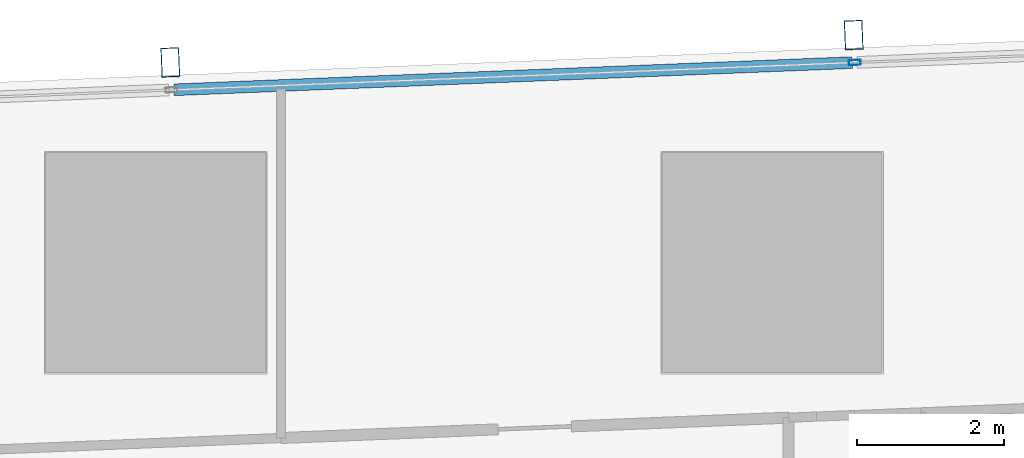
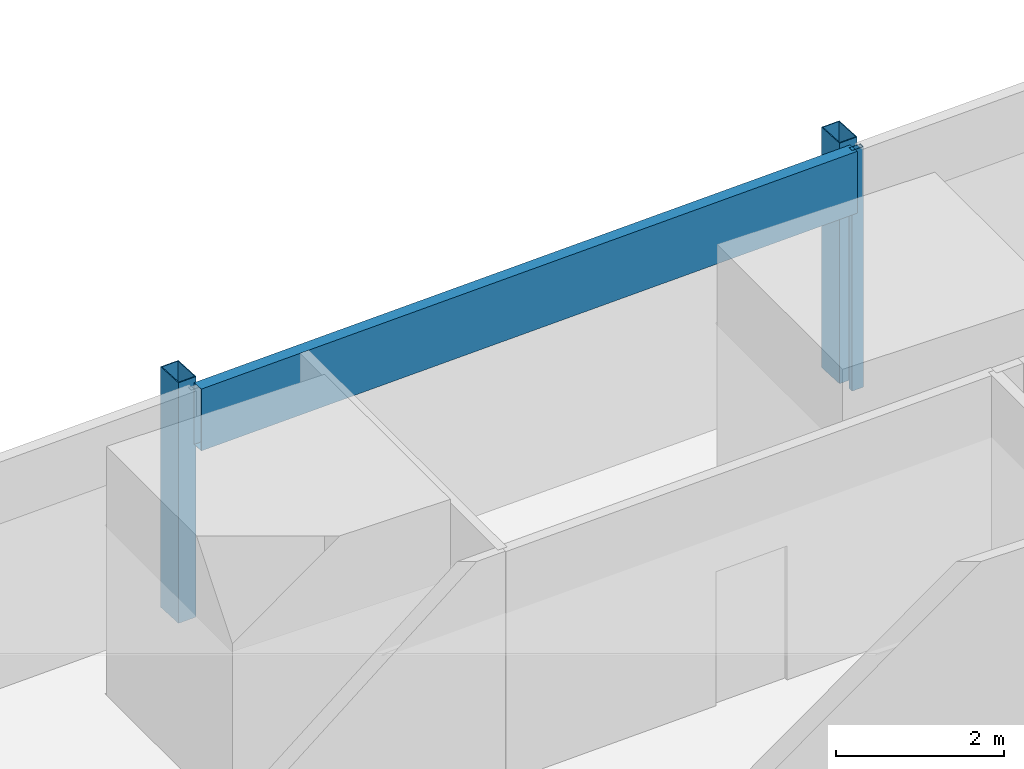
# One storey, part 17 of 39: 4 members, 1 element without a shape of its own.
"""IFC4 building model written with IfcOpenShell, lengths in metres."""

import ifcopenshell
import ifcopenshell.guid

model = None  # the IFC model being written
_history = None  # IfcOwnerHistory: only IFC2X3 demands one
_inside = {}  # id of a spatial element -> (the spatial element, [elements in it])
_under = {}  # id of a project, library or spatial element -> (it, [spatial elements below it])
_declared = {}  # id of a project -> (the project, [libraries it declares])
_typed = {}  # id of a type object -> (the type object, [elements of that type])
_made_of = {}  # id of a material, layer set ... -> (it, [elements and type objects made of it])


def new_model(schema):
    """Start an empty IFC model of exactly this schema.

    Asked for "IFC4X3", IfcOpenShell would pick the latest addendum, in which some entities
    have other attributes; the version numbers below select the first issue.
    IFC2X3 requires an IfcOwnerHistory on every rooted entity: one is made here for all.
    """
    global model, _history
    if schema == "IFC4X3":
        model = ifcopenshell.file(schema_version=(4, 3, 0, 0))
    else:
        model = ifcopenshell.file(schema=schema)
    _inside.clear()
    _under.clear()
    _declared.clear()
    _typed.clear()
    _made_of.clear()
    _history = None
    if model.schema == "IFC2X3":
        org = make("IfcOrganization", Name="unknown")
        user = make(
            "IfcPersonAndOrganization",
            ThePerson=make("IfcPerson", FamilyName="unknown"),
            TheOrganization=org,
        )
        app = make(
            "IfcApplication",
            ApplicationDeveloper=org,
            Version="unknown",
            ApplicationFullName="unknown",
            ApplicationIdentifier="unknown",
        )
        _history = make(
            "IfcOwnerHistory",
            OwningUser=user,
            OwningApplication=app,
            ChangeAction="ADDED",
            CreationDate=0,
        )
    return model


def make(cls, **values):
    """One entity of the class cls with the attributes given. An attribute that is None is left unset."""
    return model.create_entity(
        cls, **{name: value for name, value in values.items() if value is not None}
    )


def rooted(cls, **values):
    """An entity with a GlobalId (a new one), such as an element, a storey or a relation."""
    return make(cls, GlobalId=ifcopenshell.guid.new(), OwnerHistory=_history, **values)


def si_unit(unit_type, name, prefix=None):
    """IfcSIUnit, for example si_unit("LENGTHUNIT", "METRE", prefix="MILLI")."""
    return make("IfcSIUnit", UnitType=unit_type, Prefix=prefix, Name=name)


def assignment(units):
    """IfcUnitAssignment: the units of a project."""
    return None if units is None else make("IfcUnitAssignment", Units=units)


def point(xyz):
    """IfcCartesianPoint."""
    return None if xyz is None else make("IfcCartesianPoint", Coordinates=xyz)


def direction(xyz):
    """IfcDirection."""
    return None if xyz is None else make("IfcDirection", DirectionRatios=xyz)


def frame(location, z_axis=None, x_axis=None):
    """IfcAxis2Placement3D, a coordinate frame: its origin and axes. An axis left out is left unset."""
    return make(
        "IfcAxis2Placement3D",
        Location=point(location),
        Axis=direction(z_axis),
        RefDirection=direction(x_axis),
    )


def frame_2d(location, x_axis=None):
    """IfcAxis2Placement2D, a coordinate frame in the plane: its origin and x axis."""
    return make(
        "IfcAxis2Placement2D", Location=point(location), RefDirection=direction(x_axis)
    )


def origin():
    """The frame at (0, 0, 0) with its axes left unset."""
    return frame((0.0, 0.0, 0.0))


def origin_2d():
    """The frame at (0, 0) in the plane with its x axis left unset."""
    return frame_2d((0.0, 0.0))


def place(relative_to, where):
    """IfcLocalPlacement: puts the frame where relative to a parent placement (None: the world)."""
    return make(
        "IfcLocalPlacement", PlacementRelTo=relative_to, RelativePlacement=where
    )


def context(
    kind, dimensions, precision=None, world=None, true_north=None, identifier=None
):
    """IfcGeometricRepresentationContext, for example the 3D "Model" context."""
    return make(
        "IfcGeometricRepresentationContext",
        ContextIdentifier=identifier,
        ContextType=kind,
        CoordinateSpaceDimension=dimensions,
        Precision=precision,
        WorldCoordinateSystem=world,
        TrueNorth=true_north,
    )


def subcontext(parent, identifier, kind, view, scale=None):
    """IfcGeometricRepresentationSubContext, for example "Body" below "Model"."""
    return make(
        "IfcGeometricRepresentationSubContext",
        ContextIdentifier=identifier,
        ContextType=kind,
        ParentContext=parent,
        TargetScale=scale,
        TargetView=view,
    )


def project(units=None, contexts=None):
    """IfcProject with its units and contexts."""
    return rooted(
        "IfcProject",
        Name="project",
        RepresentationContexts=contexts,
        UnitsInContext=assignment(units),
    )


def spatial(cls, under=None, at=None, **own):
    """A site, building, storey or space (cls), placed at a placement, below another one or the project."""
    s = rooted(cls, ObjectPlacement=at, **own)
    if under is not None:
        _under.setdefault(under.id(), (under, []))[1].append(s)
    return s


def profile(cls, at=None, kind="AREA", **sizes):
    """A parametric profile (cls). Its sizes go by their IFC names, for example OverallWidth=200.0."""
    return make(cls, ProfileType=kind, Position=at, **sizes)


def hollow_rectangle(**sizes):
    """IfcRectangleHollowProfileDef."""
    return profile("IfcRectangleHollowProfileDef", **sizes)


def extrude(swept, where, along, depth):
    """IfcExtrudedAreaSolid: the profile swept, set in the frame where, extruded along a direction by depth."""
    return make(
        "IfcExtrudedAreaSolid",
        SweptArea=swept,
        Position=where,
        ExtrudedDirection=direction(along),
        Depth=depth,
    )


def shape(context_of_items, identifier, shape_type, items):
    """IfcShapeRepresentation: the items that make up one representation, for example the "Body"."""
    return make(
        "IfcShapeRepresentation",
        ContextOfItems=context_of_items,
        RepresentationIdentifier=identifier,
        RepresentationType=shape_type,
        Items=items,
    )


def material(Name=None, Category=None):
    """IfcMaterial."""
    return make("IfcMaterial", Name=Name, Category=Category)


def material_profile(
    of_material, cross_section, Name=None, Category=None, Priority=None
):
    """IfcMaterialProfile: a cross section and its material."""
    return make(
        "IfcMaterialProfile",
        Name=Name,
        Material=of_material,
        Profile=cross_section,
        Priority=Priority,
        Category=Category,
    )


def profile_set(profiles, Name=None, composite=None):
    """IfcMaterialProfileSet."""
    return make(
        "IfcMaterialProfileSet",
        Name=Name,
        MaterialProfiles=profiles,
        CompositeProfile=composite,
    )


def made_of(thing, what):
    """Note that an element or type object is made of a material, layer set ...; save() writes the relation."""
    if what is not None:
        _made_of.setdefault(what.id(), (what, []))[1].append(thing)
    return thing


def type_object(cls, material=None, **own):
    """A type object (cls), such as IfcWallType, which elements share."""
    return made_of(rooted(cls, **own), material)


def element(
    cls,
    number,
    at=None,
    inside=None,
    cuts=None,
    type_object=None,
    material=None,
    context=None,
    identifier="Body",
    shape_type=None,
    held_by="IfcProductDefinitionShape",
    body=None,
    shapes=None,
    **own,
):
    """One element of the class cls, such as IfcWall. Its Tag is "e" and its number.

    at: its placement. inside: the storey or other place that contains it. cuts: it is an
    opening in that element (IfcRelVoidsElement). A single representation is given by context,
    identifier, shape_type and body (its items); several are given by shapes. held_by: the class
    of the entity that holds the representations. save() writes the other relations.
    """
    e = rooted(cls, Tag="e%d" % number, ObjectPlacement=at, **own)
    if body is not None:
        shapes = [shape(context, identifier, shape_type, body)]
    if shapes is not None:
        e.Representation = make(held_by, Representations=shapes)
    if inside is not None:
        _inside.setdefault(inside.id(), (inside, []))[1].append(e)
    if cuts is not None:
        rooted(
            "IfcRelVoidsElement", RelatingBuildingElement=cuts, RelatedOpeningElement=e
        )
    if type_object is not None:
        _typed.setdefault(type_object.id(), (type_object, []))[1].append(e)
    return made_of(e, material)


def aggregate(whole, parts):
    """IfcRelAggregates: a whole, such as a stair, and the parts it consists of."""
    return rooted("IfcRelAggregates", RelatingObject=whole, RelatedObjects=parts)


def save(model, path):
    """Write the relations noted so far, then the file.

    IfcRelAggregates (storeys below a building ...), IfcRelContainedInSpatialStructure (elements
    in a storey), IfcRelDefinesByType, IfcRelAssociatesMaterial and IfcRelDeclares: one each for
    every whole, place, type object, material and project.
    """
    for whole, parts in _under.values():
        aggregate(whole, parts)
    for where, things in _inside.values():
        rooted(
            "IfcRelContainedInSpatialStructure",
            RelatedElements=things,
            RelatingStructure=where,
        )
    for kind, things in _typed.values():
        rooted("IfcRelDefinesByType", RelatedObjects=things, RelatingType=kind)
    for what, things in _made_of.values():
        rooted("IfcRelAssociatesMaterial", RelatedObjects=things, RelatingMaterial=what)
    for by, libraries in _declared.values():
        rooted("IfcRelDeclares", RelatingContext=by, RelatedDefinitions=libraries)
    model.write(path)


model = new_model("IFC4")

# Units and contexts
model_context = context("Model", 3, precision=1e-05, world=origin(), true_north=direction((0.0, 1.0)))
body_context = subcontext(model_context, "Body", "Model", "MODEL_VIEW")
ifc_project = project(units=[si_unit("LENGTHUNIT", "METRE"), si_unit("AREAUNIT", "SQUARE_METRE"), si_unit("VOLUMEUNIT", "CUBIC_METRE"), si_unit("PLANEANGLEUNIT", "RADIAN"), si_unit("MASSUNIT", "GRAM", prefix="KILO")], contexts=[model_context])

# Site, building, storey
site_placement = place(None, origin())
site = spatial("IfcSite", under=ifc_project, at=site_placement, CompositionType="ELEMENT")
building_placement = place(site_placement, origin())
building = spatial("IfcBuilding", under=site, at=building_placement, Name="Rekha Terrace Tower", CompositionType="ELEMENT")
storey_placement = place(building_placement, frame((0.0, 0.0, 155.300048828125)))
storey = spatial("IfcBuildingStorey", under=building, at=storey_placement, Name="L39", CompositionType="ELEMENT", Elevation=155.300048828125)

# Curtain wall, members
ifc_material_1 = material(Name="Aluminium framing", Category="aluminium")
curtain_wall_type = type_object("IfcCurtainWallType", Name="CW3 north unitised glazing", PredefinedType="USERDEFINED", material=ifc_material_1)
curtain_wall_placement = place(storey_placement, origin())
curtain_wall = element("IfcCurtainWall", 1, at=curtain_wall_placement, inside=storey, type_object=curtain_wall_type, Name="CW3 unitised curtain wall", ObjectType="UNITISED CURTAIN WALL", PredefinedType="USERDEFINED")
ifc_material_2 = material(Name="Steel S355 with fluorocarbon finish", Category="steel")
ifc_material_profile_1 = material_profile(ifc_material_2, hollow_rectangle(XDim=0.25, YDim=0.39990234375, WallThickness=0.012451171875, at=origin_2d()), Name="RHS400x250x12.5")
ifc_profile_set_1 = profile_set([ifc_material_profile_1], Name="Steel S355 with fluorocarbon finish")
member_type_1 = type_object("IfcMemberType", Name="BL1 facade blade RHS 400 x 250", PredefinedType="USERDEFINED", material=ifc_profile_set_1)
member_1_placement = place(storey_placement, frame((34.7109375, 61.9013671875, 0.0), z_axis=(0.0, 0.0, 1.0), x_axis=(-0.999198382632, -0.040032388711, 0.0)))
member_1 = element("IfcMember", 2, at=member_1_placement, type_object=member_type_1, Name="Facade blade", ObjectType="FACADE BLADE", PredefinedType="USERDEFINED", context=body_context, shape_type="SweptSolid", body=[
    extrude(hollow_rectangle(XDim=0.25, YDim=0.39990234375, WallThickness=0.012451171875, at=origin_2d()), origin(), (0.0, 0.0, 1.0), 3.5),
])
member_2_placement = place(storey_placement, frame((25.39892578125, 61.5283203125, 0.0), z_axis=(0.0, 0.0, 1.0), x_axis=(-0.999198382632, -0.040032388711, 0.0)))
member_2 = element("IfcMember", 3, at=member_2_placement, type_object=member_type_1, Name="Facade blade", ObjectType="FACADE BLADE", PredefinedType="USERDEFINED", context=body_context, shape_type="SweptSolid", body=[
    extrude(hollow_rectangle(XDim=0.25, YDim=0.39990234375, WallThickness=0.012451171875, at=origin_2d()), origin(), (0.0, 0.0, 1.0), 3.5),
])
ifc_material_3 = material(Name="Aluminium mullion section", Category="aluminium")
ifc_material_profile_2 = material_profile(ifc_material_3, hollow_rectangle(XDim=0.070068359375, YDim=0.159912109375, WallThickness=0.00390625, at=origin_2d()), Name="AL RHS 70x160")
ifc_profile_set_2 = profile_set([ifc_material_profile_2], Name="Aluminium mullion section")
member_type_2 = type_object("IfcMemberType", Name="CW3 mullion RHS 70 x 160", PredefinedType="MULLION", material=ifc_profile_set_2)
member_3_placement = place(storey_placement, frame((34.725830078125, 61.526611328125, 0.0), z_axis=(0.0, 0.0, 1.0), x_axis=(0.040031987119, -0.999198398721, 0.0)))
member_3 = element("IfcMember", 4, at=member_3_placement, type_object=member_type_2, Name="CW3 mullion 2", PredefinedType="MULLION", context=body_context, shape_type="SweptSolid", body=[
    extrude(hollow_rectangle(XDim=0.070068359375, YDim=0.159912109375, WallThickness=0.00390625, at=origin_2d()), origin(), (0.0, 0.0, 1.0), 3.5),
])
ifc_material_4 = material(Name="Insulated aluminium spandrel box", Category="aluminium")
ifc_material_profile_3 = material_profile(ifc_material_4, hollow_rectangle(XDim=0.159912109375, YDim=0.89990234375, WallThickness=0.0029296875, at=origin_2d()), Name="AL SPANDREL BOX 160x900")
ifc_profile_set_3 = profile_set([ifc_material_profile_3], Name="Insulated aluminium spandrel box")
member_type_3 = type_object("IfcMemberType", Name="CW3 spandrel transom 160 x 900", PredefinedType="USERDEFINED", material=ifc_profile_set_3)
member_4_placement = place(storey_placement, frame((34.69091796875, 61.525390625, 3.050048828125), z_axis=(-0.999198046754, -0.040040771263, 0.0), x_axis=(0.040040771263, -0.999198046754, 0.0)))
member_4 = element("IfcMember", 5, at=member_4_placement, type_object=member_type_3, Name="CW3 spandrel transom 2", ObjectType="TRANSOM", PredefinedType="USERDEFINED", context=body_context, shape_type="SweptSolid", body=[
    extrude(hollow_rectangle(XDim=0.159912109375, YDim=0.89990234375, WallThickness=0.0029296875, at=origin_2d()), origin(), (0.0, 0.0, 1.0), 9.24951171875),
])
aggregate(curtain_wall, [member_3, member_4, member_1, member_2])

save(model, "model.ifc")
